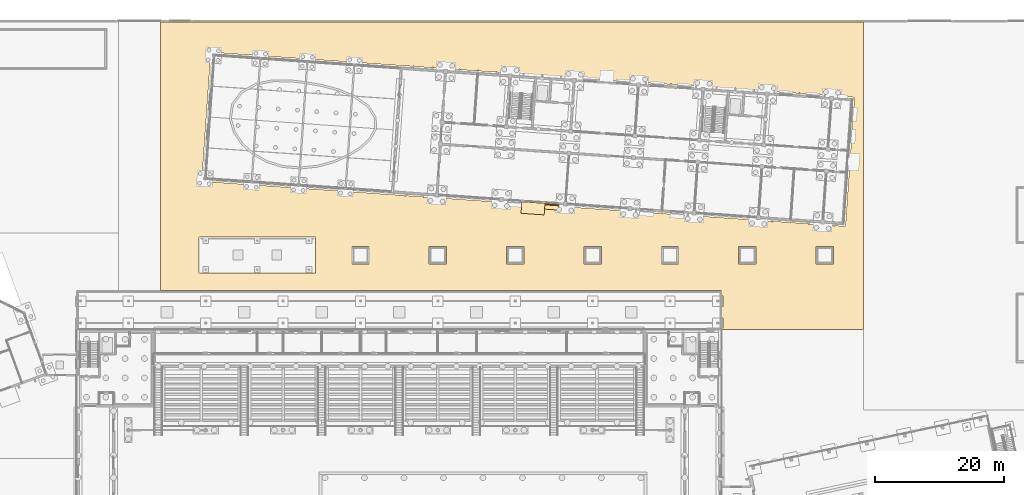
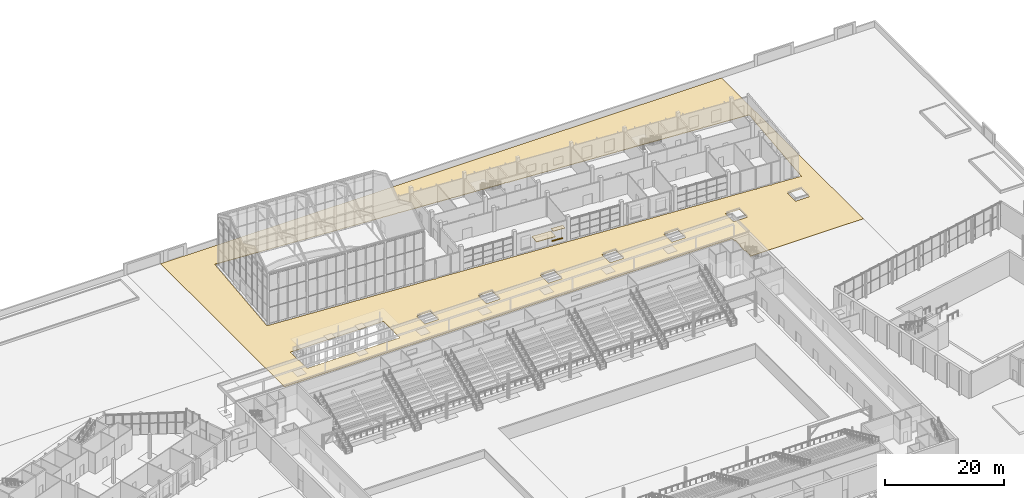
# One storey, part 140 of 157: 4 coverings.
"""IFC4 building model written with IfcOpenShell, lengths in metres."""

import ifcopenshell
import ifcopenshell.guid

model = None  # the IFC model being written
_history = None  # IfcOwnerHistory: only IFC2X3 demands one
_inside = {}  # id of a spatial element -> (the spatial element, [elements in it])
_under = {}  # id of a project, library or spatial element -> (it, [spatial elements below it])
_declared = {}  # id of a project -> (the project, [libraries it declares])
_typed = {}  # id of a type object -> (the type object, [elements of that type])
_made_of = {}  # id of a material, layer set ... -> (it, [elements and type objects made of it])


def new_model(schema):
    """Start an empty IFC model of exactly this schema.

    Asked for "IFC4X3", IfcOpenShell would pick the latest addendum, in which some entities
    have other attributes; the version numbers below select the first issue.
    IFC2X3 requires an IfcOwnerHistory on every rooted entity: one is made here for all.
    """
    global model, _history
    if schema == "IFC4X3":
        model = ifcopenshell.file(schema_version=(4, 3, 0, 0))
    else:
        model = ifcopenshell.file(schema=schema)
    _inside.clear()
    _under.clear()
    _declared.clear()
    _typed.clear()
    _made_of.clear()
    _history = None
    if model.schema == "IFC2X3":
        org = make("IfcOrganization", Name="unknown")
        user = make(
            "IfcPersonAndOrganization",
            ThePerson=make("IfcPerson", FamilyName="unknown"),
            TheOrganization=org,
        )
        app = make(
            "IfcApplication",
            ApplicationDeveloper=org,
            Version="unknown",
            ApplicationFullName="unknown",
            ApplicationIdentifier="unknown",
        )
        _history = make(
            "IfcOwnerHistory",
            OwningUser=user,
            OwningApplication=app,
            ChangeAction="ADDED",
            CreationDate=0,
        )
    return model


def make(cls, **values):
    """One entity of the class cls with the attributes given. An attribute that is None is left unset."""
    return model.create_entity(
        cls, **{name: value for name, value in values.items() if value is not None}
    )


def rooted(cls, **values):
    """An entity with a GlobalId (a new one), such as an element, a storey or a relation."""
    return make(cls, GlobalId=ifcopenshell.guid.new(), OwnerHistory=_history, **values)


def si_unit(unit_type, name, prefix=None):
    """IfcSIUnit, for example si_unit("LENGTHUNIT", "METRE", prefix="MILLI")."""
    return make("IfcSIUnit", UnitType=unit_type, Prefix=prefix, Name=name)


def assignment(units):
    """IfcUnitAssignment: the units of a project."""
    return None if units is None else make("IfcUnitAssignment", Units=units)


def point(xyz):
    """IfcCartesianPoint."""
    return None if xyz is None else make("IfcCartesianPoint", Coordinates=xyz)


def direction(xyz):
    """IfcDirection."""
    return None if xyz is None else make("IfcDirection", DirectionRatios=xyz)


def frame(location, z_axis=None, x_axis=None):
    """IfcAxis2Placement3D, a coordinate frame: its origin and axes. An axis left out is left unset."""
    return make(
        "IfcAxis2Placement3D",
        Location=point(location),
        Axis=direction(z_axis),
        RefDirection=direction(x_axis),
    )


def origin():
    """The frame at (0, 0, 0) with its axes left unset."""
    return frame((0.0, 0.0, 0.0))


def place(relative_to, where):
    """IfcLocalPlacement: puts the frame where relative to a parent placement (None: the world)."""
    return make(
        "IfcLocalPlacement", PlacementRelTo=relative_to, RelativePlacement=where
    )


def context(
    kind, dimensions, precision=None, world=None, true_north=None, identifier=None
):
    """IfcGeometricRepresentationContext, for example the 3D "Model" context."""
    return make(
        "IfcGeometricRepresentationContext",
        ContextIdentifier=identifier,
        ContextType=kind,
        CoordinateSpaceDimension=dimensions,
        Precision=precision,
        WorldCoordinateSystem=world,
        TrueNorth=true_north,
    )


def subcontext(parent, identifier, kind, view, scale=None):
    """IfcGeometricRepresentationSubContext, for example "Body" below "Model"."""
    return make(
        "IfcGeometricRepresentationSubContext",
        ContextIdentifier=identifier,
        ContextType=kind,
        ParentContext=parent,
        TargetScale=scale,
        TargetView=view,
    )


def project(units=None, contexts=None):
    """IfcProject with its units and contexts."""
    return rooted(
        "IfcProject",
        Name="project",
        RepresentationContexts=contexts,
        UnitsInContext=assignment(units),
    )


def spatial(cls, under=None, at=None, **own):
    """A site, building, storey or space (cls), placed at a placement, below another one or the project."""
    s = rooted(cls, ObjectPlacement=at, **own)
    if under is not None:
        _under.setdefault(under.id(), (under, []))[1].append(s)
    return s


def polyline(points):
    """IfcPolyline through the points."""
    return make("IfcPolyline", Points=[point(p) for p in points])


def outline(outer, holes=None, kind="AREA"):
    """IfcArbitraryClosedProfileDef: a profile drawn as a closed curve; with holes, ...WithVoids."""
    if holes is None:
        return make("IfcArbitraryClosedProfileDef", ProfileType=kind, OuterCurve=outer)
    return make(
        "IfcArbitraryProfileDefWithVoids",
        ProfileType=kind,
        OuterCurve=outer,
        InnerCurves=holes,
    )


def extrude(swept, where, along, depth):
    """IfcExtrudedAreaSolid: the profile swept, set in the frame where, extruded along a direction by depth."""
    return make(
        "IfcExtrudedAreaSolid",
        SweptArea=swept,
        Position=where,
        ExtrudedDirection=direction(along),
        Depth=depth,
    )


def shape(context_of_items, identifier, shape_type, items):
    """IfcShapeRepresentation: the items that make up one representation, for example the "Body"."""
    return make(
        "IfcShapeRepresentation",
        ContextOfItems=context_of_items,
        RepresentationIdentifier=identifier,
        RepresentationType=shape_type,
        Items=items,
    )


def material(Name=None, Category=None):
    """IfcMaterial."""
    return make("IfcMaterial", Name=Name, Category=Category)


def layer(
    of_material, thickness, ventilated=None, Name=None, Category=None, Priority=None
):
    """IfcMaterialLayer: one layer of a wall or slab, of a material (None: an air gap)."""
    return make(
        "IfcMaterialLayer",
        Material=of_material,
        LayerThickness=thickness,
        IsVentilated=ventilated,
        Name=Name,
        Category=Category,
        Priority=Priority,
    )


def layer_set(layers, Name=None):
    """IfcMaterialLayerSet."""
    return make("IfcMaterialLayerSet", MaterialLayers=layers, LayerSetName=Name)


def made_of(thing, what):
    """Note that an element or type object is made of a material, layer set ...; save() writes the relation."""
    if what is not None:
        _made_of.setdefault(what.id(), (what, []))[1].append(thing)
    return thing


def type_object(cls, material=None, **own):
    """A type object (cls), such as IfcWallType, which elements share."""
    return made_of(rooted(cls, **own), material)


def element(
    cls,
    number,
    at=None,
    inside=None,
    cuts=None,
    type_object=None,
    material=None,
    context=None,
    identifier="Body",
    shape_type=None,
    held_by="IfcProductDefinitionShape",
    body=None,
    shapes=None,
    **own,
):
    """One element of the class cls, such as IfcWall. Its Tag is "e" and its number.

    at: its placement. inside: the storey or other place that contains it. cuts: it is an
    opening in that element (IfcRelVoidsElement). A single representation is given by context,
    identifier, shape_type and body (its items); several are given by shapes. held_by: the class
    of the entity that holds the representations. save() writes the other relations.
    """
    e = rooted(cls, Tag="e%d" % number, ObjectPlacement=at, **own)
    if body is not None:
        shapes = [shape(context, identifier, shape_type, body)]
    if shapes is not None:
        e.Representation = make(held_by, Representations=shapes)
    if inside is not None:
        _inside.setdefault(inside.id(), (inside, []))[1].append(e)
    if cuts is not None:
        rooted(
            "IfcRelVoidsElement", RelatingBuildingElement=cuts, RelatedOpeningElement=e
        )
    if type_object is not None:
        _typed.setdefault(type_object.id(), (type_object, []))[1].append(e)
    return made_of(e, material)


def aggregate(whole, parts):
    """IfcRelAggregates: a whole, such as a stair, and the parts it consists of."""
    return rooted("IfcRelAggregates", RelatingObject=whole, RelatedObjects=parts)


def save(model, path):
    """Write the relations noted so far, then the file.

    IfcRelAggregates (storeys below a building ...), IfcRelContainedInSpatialStructure (elements
    in a storey), IfcRelDefinesByType, IfcRelAssociatesMaterial and IfcRelDeclares: one each for
    every whole, place, type object, material and project.
    """
    for whole, parts in _under.values():
        aggregate(whole, parts)
    for where, things in _inside.values():
        rooted(
            "IfcRelContainedInSpatialStructure",
            RelatedElements=things,
            RelatingStructure=where,
        )
    for kind, things in _typed.values():
        rooted("IfcRelDefinesByType", RelatedObjects=things, RelatingType=kind)
    for what, things in _made_of.values():
        rooted("IfcRelAssociatesMaterial", RelatedObjects=things, RelatingMaterial=what)
    for by, libraries in _declared.values():
        rooted("IfcRelDeclares", RelatingContext=by, RelatedDefinitions=libraries)
    model.write(path)


model = new_model("IFC4")

# Units and contexts
model_context = context("Model", 3, precision=1e-05, world=origin(), true_north=direction((0.0, 1.0)))
body_context = subcontext(model_context, "Body", "Model", "MODEL_VIEW")
ifc_project = project(units=[si_unit("LENGTHUNIT", "METRE"), si_unit("AREAUNIT", "SQUARE_METRE"), si_unit("VOLUMEUNIT", "CUBIC_METRE"), si_unit("PLANEANGLEUNIT", "RADIAN"), si_unit("MASSUNIT", "GRAM", prefix="KILO")], contexts=[model_context])

# Site, building, storey
site_placement = place(None, origin())
site = spatial("IfcSite", under=ifc_project, at=site_placement, CompositionType="ELEMENT")
building_placement = place(site_placement, origin())
building = spatial("IfcBuilding", under=site, at=building_placement, Name="Windward Yard Aquatics Centre", CompositionType="ELEMENT")
storey_placement = place(building_placement, origin())
storey = spatial("IfcBuildingStorey", under=building, at=storey_placement, Name="L00", CompositionType="ELEMENT", Elevation=0.0)

# Coverings
ifc_material_1 = material(Name="Aluminium standing seam canopy on steel brackets", Category="steel")
ifc_layer_1 = layer(ifc_material_1, 0.1201171875)
ifc_layer_set_1 = layer_set([ifc_layer_1], Name="W entrance canopy aluminium 3600x1800")
covering_type_1 = type_object("IfcCoveringType", Name="W entrance canopy aluminium 3600x1800", PredefinedType="CLADDING", material=ifc_layer_set_1)
covering_1_placement = place(storey_placement, frame((0.0, 0.0, 2.800048828125)))
element("IfcCovering", 1, at=covering_1_placement, inside=storey, type_object=covering_type_1, Name="Entrance canopy W0001", PredefinedType="CLADDING", context=body_context, shape_type="SweptSolid", body=[
    extrude(outline(polyline([(120.896728515625, 114.02392578125), (121.022216796875, 115.819580078125), (124.613525390625, 115.568603515625), (124.488037109375, 113.77294921875), (120.896728515625, 114.02392578125)])), origin(), (0.0, 0.0, 1.0), 0.119873046875),
])
ifc_material_2 = material(Name="Aluminium composite hood, powder coated", Category="aluminium")
ifc_layer_2 = layer(ifc_material_2, 0.080078125)
ifc_layer_set_2 = layer_set([ifc_layer_2], Name="W window hood aluminium 2200x900")
covering_type_2 = type_object("IfcCoveringType", Name="W window hood aluminium 2200x900", PredefinedType="CLADDING", material=ifc_layer_set_2)
covering_2_placement = place(storey_placement, frame((0.0, 0.0, 3.35009765625)))
element("IfcCovering", 2, at=covering_2_placement, inside=storey, type_object=covering_type_2, Name="Window hood W0502", PredefinedType="CLADDING", context=body_context, shape_type="SweptSolid", body=[
    extrude(outline(polyline([(124.55078125, 114.670654296875), (124.613525390625, 115.568603515625), (126.80810546875, 115.4150390625), (126.745361328125, 114.51708984375), (124.55078125, 114.670654296875)])), origin(), (0.0, 0.0, 1.0), 0.079833984375),
])
ifc_material_3 = material(Name="Limestone sill", Category="masonry")
ifc_layer_3 = layer(ifc_material_3, 0.080078125)
ifc_layer_set_3 = layer_set([ifc_layer_3], Name="W window sill stone 2000x200")
covering_type_3 = type_object("IfcCoveringType", Name="W window sill stone 2000x200", PredefinedType="CLADDING", material=ifc_layer_set_3)
covering_3_placement = place(storey_placement, frame((0.0, 0.0, 0.820068359375)))
element("IfcCovering", 3, at=covering_3_placement, inside=storey, type_object=covering_type_3, Name="Window sill W0502", PredefinedType="CLADDING", context=body_context, shape_type="SweptSolid", body=[
    extrude(outline(polyline([(124.699462890625, 115.362060546875), (124.71337890625, 115.5615234375), (126.70849609375, 115.422119140625), (126.694580078125, 115.222412109375), (124.699462890625, 115.362060546875)])), origin(), (0.0, 0.0, 1.0), 0.079833984375),
])
ifc_material_4 = material(Name="Granite paving, flamed", Category="masonry")
ifc_layer_4 = layer(ifc_material_4, 0.10009765625)
ifc_layer_set_4 = layer_set([ifc_layer_4], Name="X Granite Paving 100")
covering_type_4 = type_object("IfcCoveringType", Name="X Granite Paving 100", PredefinedType="FLOORING", material=ifc_layer_set_4)
covering_4_placement = place(storey_placement, frame((0.0, 0.0, -0.10009765625)))
element("IfcCovering", 4, at=covering_4_placement, inside=storey, type_object=covering_type_4, Name="Yard paving 1", PredefinedType="FLOORING", context=body_context, shape_type="SweptSolid", body=[
    extrude(outline(polyline([(65.0, 102.02001953125), (152.001953125, 102.02001953125), (152.009521484375, 102.017578125), (152.01416015625, 102.01416015625), (152.0185546875, 102.0078125), (152.02001953125, 102.0), (152.02001953125, 101.219970703125), (152.201904296875, 101.219970703125), (152.20947265625, 101.217529296875), (152.214111328125, 101.214111328125), (152.218505859375, 101.207763671875), (152.219970703125, 101.199951171875), (152.219970703125, 99.597900390625), (152.218505859375, 99.59228515625), (152.214111328125, 99.5859375), (152.20947265625, 99.58251953125), (152.201904296875, 99.580078125), (152.02001953125, 99.580078125), (152.02001953125, 97.820068359375), (152.201904296875, 97.81982421875), (152.20947265625, 97.817626953125), (152.214111328125, 97.814208984375), (152.218505859375, 97.8076171875), (152.219970703125, 97.802001953125), (152.219970703125, 96.199951171875), (152.218505859375, 96.1923828125), (152.214111328125, 96.185791015625), (152.20947265625, 96.182373046875), (152.201904296875, 96.18017578125), (152.02001953125, 96.179931640625), (152.02001953125, 96.02001953125), (152.0419921875, 96.02001953125), (152.047607421875, 96.0185546875), (152.056640625, 96.010986328125), (152.06005859375, 96.0), (174.0, 96.0), (174.0, 143.679931640625), (65.0, 143.679931640625), (65.0, 102.02001953125)]), holes=[polyline([(71.404296875, 119.013671875), (71.4052734375, 119.005859375), (71.407958984375, 119.00048828125), (71.41357421875, 118.9951171875), (71.4189453125, 118.992919921875), (102.8037109375, 116.7978515625), (102.79638671875, 116.691162109375), (102.798095703125, 116.68359375), (102.802734375, 116.67724609375), (102.8076171875, 116.673828125), (102.81494140625, 116.671875), (102.934814453125, 116.663330078125), (102.9423828125, 116.664306640625), (102.94775390625, 116.6669921875), (102.952880859375, 116.6728515625), (102.955322265625, 116.677978515625), (102.96337890625, 116.78662109375), (105.671875, 116.597412109375), (105.664306640625, 116.490478515625), (105.666015625, 116.48291015625), (105.670654296875, 116.476806640625), (105.675537109375, 116.473388671875), (105.68310546875, 116.47119140625), (105.802734375, 116.462890625), (105.810302734375, 116.4638671875), (105.815673828125, 116.466552734375), (105.821044921875, 116.47216796875), (105.823486328125, 116.4775390625), (105.831298828125, 116.586181640625), (138.65380859375, 114.291015625), (138.646240234375, 114.184326171875), (138.64794921875, 114.1767578125), (138.652587890625, 114.17041015625), (138.6591796875, 114.166259765625), (138.664794921875, 114.164794921875), (138.78466796875, 114.156494140625), (138.792236328125, 114.157470703125), (138.797607421875, 114.16015625), (138.802978515625, 114.166015625), (138.805419921875, 114.171142578125), (138.813232421875, 114.27978515625), (142.6689453125, 114.01025390625), (142.66162109375, 113.903564453125), (142.6630859375, 113.89599609375), (142.667724609375, 113.8896484375), (142.67431640625, 113.885498046875), (142.68017578125, 113.884033203125), (142.7998046875, 113.875732421875), (142.8076171875, 113.876708984375), (142.812744140625, 113.87939453125), (142.81689453125, 113.883544921875), (142.820556640625, 113.890380859375), (142.82861328125, 113.9990234375), (146.68408203125, 113.7294921875), (146.677001953125, 113.620849609375), (146.67919921875, 113.61328125), (146.68310546875, 113.60888671875), (146.687744140625, 113.60546875), (146.6953125, 113.603271484375), (146.81494140625, 113.594970703125), (146.82080078125, 113.595458984375), (146.827880859375, 113.5986328125), (146.833251953125, 113.6044921875), (146.836181640625, 113.61181640625), (146.84375, 113.71826171875), (159.727294921875, 112.8173828125), (159.7197265625, 112.710693359375), (159.721435546875, 112.702880859375), (159.72607421875, 112.69677734375), (159.732666015625, 112.6923828125), (159.73828125, 112.691162109375), (159.858154296875, 112.682861328125), (159.86572265625, 112.683837890625), (159.87109375, 112.6865234375), (159.875244140625, 112.690673828125), (159.87890625, 112.697509765625), (159.88671875, 112.80615234375), (162.6201171875, 112.614990234375), (162.61279296875, 112.50830078125), (162.614501953125, 112.500732421875), (162.619140625, 112.494384765625), (162.625732421875, 112.490234375), (162.63134765625, 112.489013671875), (162.751220703125, 112.48046875), (162.7587890625, 112.4814453125), (162.76416015625, 112.484130859375), (162.768310546875, 112.48828125), (162.771728515625, 112.4951171875), (162.77978515625, 112.60400390625), (165.51318359375, 112.412841796875), (165.505859375, 112.30419921875), (165.50732421875, 112.29833984375), (165.511962890625, 112.2919921875), (165.516845703125, 112.288818359375), (165.5244140625, 112.28662109375), (165.64404296875, 112.2783203125), (165.64990234375, 112.27880859375), (165.656982421875, 112.281982421875), (165.662353515625, 112.28759765625), (165.6650390625, 112.294921875), (165.672607421875, 112.401611328125), (169.3662109375, 112.143310546875), (169.35888671875, 112.03662109375), (169.360595703125, 112.029052734375), (169.364990234375, 112.022705078125), (169.37158203125, 112.0185546875), (169.37744140625, 112.01708984375), (169.4970703125, 112.0087890625), (169.5048828125, 112.009765625), (169.510009765625, 112.012451171875), (169.514404296875, 112.0166015625), (169.517822265625, 112.0234375), (169.52587890625, 112.132080078125), (171.17919921875, 112.0166015625), (171.18505859375, 112.01708984375), (171.192138671875, 112.020263671875), (171.196533203125, 112.0244140625), (171.199951171875, 112.03125), (172.595703125, 131.986328125), (172.59521484375, 131.9921875), (172.592041015625, 131.99951171875), (172.587890625, 132.003662109375), (172.5810546875, 132.007080078125), (168.068115234375, 132.322998046875), (168.075439453125, 132.4296875), (168.07373046875, 132.4375), (168.069091796875, 132.443603515625), (168.0625, 132.447998046875), (168.056884765625, 132.44921875), (167.937255859375, 132.45751953125), (167.931396484375, 132.45703125), (167.92431640625, 132.453857421875), (167.919921875, 132.44970703125), (167.91650390625, 132.44287109375), (167.908447265625, 132.334228515625), (164.177490234375, 132.59521484375), (164.18505859375, 132.701904296875), (164.183349609375, 132.70947265625), (164.1787109375, 132.7158203125), (164.172119140625, 132.719970703125), (164.16650390625, 132.72119140625), (164.046630859375, 132.729736328125), (164.040771484375, 132.729248046875), (164.03369140625, 132.72607421875), (164.0283203125, 132.72021484375), (164.02587890625, 132.715087890625), (164.01806640625, 132.606201171875), (160.287109375, 132.8671875), (160.29443359375, 132.973876953125), (160.292724609375, 132.9814453125), (160.2880859375, 132.98779296875), (160.281494140625, 132.991943359375), (160.27587890625, 132.993408203125), (160.15625, 133.001708984375), (160.150390625, 133.001220703125), (160.143310546875, 132.998046875), (160.138916015625, 132.993896484375), (160.135498046875, 132.987060546875), (160.12744140625, 132.87841796875), (157.094970703125, 133.09033203125), (157.102294921875, 133.197021484375), (157.1005859375, 133.20458984375), (157.09619140625, 133.2109375), (157.09130859375, 133.21435546875), (157.083740234375, 133.216552734375), (156.964111328125, 133.224853515625), (156.958251953125, 133.224365234375), (156.951171875, 133.22119140625), (156.94580078125, 133.215576171875), (156.943359375, 133.210205078125), (156.935302734375, 133.1015625), (154.201904296875, 133.292724609375), (154.20947265625, 133.3994140625), (154.207763671875, 133.406982421875), (154.203125, 133.413330078125), (154.1982421875, 133.416748046875), (154.19091796875, 133.418701171875), (154.071044921875, 133.42724609375), (154.065185546875, 133.4267578125), (154.05810546875, 133.423583984375), (154.052734375, 133.417724609375), (154.05029296875, 133.41259765625), (154.04248046875, 133.3037109375), (151.30908203125, 133.4951171875), (151.31640625, 133.603515625), (151.31396484375, 133.611083984375), (151.310302734375, 133.615478515625), (151.3037109375, 133.619873046875), (151.2978515625, 133.62109375), (151.17822265625, 133.62939453125), (151.17041015625, 133.62841796875), (151.165283203125, 133.625732421875), (151.159912109375, 133.6201171875), (151.156982421875, 133.61279296875), (151.1494140625, 133.506103515625), (148.11669921875, 133.71826171875), (148.124267578125, 133.824951171875), (148.12255859375, 133.83251953125), (148.117919921875, 133.8388671875), (148.111328125, 133.843017578125), (148.105712890625, 133.84423828125), (147.98583984375, 133.852783203125), (147.97998046875, 133.852294921875), (147.972900390625, 133.84912109375), (147.96875, 133.844970703125), (147.965087890625, 133.837890625), (147.957275390625, 133.7294921875), (144.226318359375, 133.990234375), (144.233642578125, 134.096923828125), (144.23193359375, 134.1044921875), (144.227294921875, 134.11083984375), (144.220703125, 134.114990234375), (144.215087890625, 134.116455078125), (144.095458984375, 134.124755859375), (144.089599609375, 134.124267578125), (144.08251953125, 134.12109375), (144.0771484375, 134.115478515625), (144.07470703125, 134.110107421875), (144.066650390625, 134.00146484375), (140.335693359375, 134.26220703125), (140.34326171875, 134.368896484375), (140.341552734375, 134.376708984375), (140.3369140625, 134.3828125), (140.33203125, 134.38623046875), (140.32470703125, 134.388427734375), (140.204833984375, 134.396728515625), (140.198974609375, 134.396240234375), (140.19189453125, 134.39306640625), (140.187744140625, 134.388916015625), (140.18408203125, 134.382080078125), (140.17626953125, 134.2734375), (127.168212890625, 135.18310546875), (127.175537109375, 135.289794921875), (127.173828125, 135.29736328125), (127.169189453125, 135.3037109375), (127.16259765625, 135.307861328125), (127.156982421875, 135.30908203125), (127.037109375, 135.317626953125), (127.03125, 135.317138671875), (127.024169921875, 135.31396484375), (127.018798828125, 135.30810546875), (127.0166015625, 135.302978515625), (127.008544921875, 135.194091796875), (124.275146484375, 135.385498046875), (124.282470703125, 135.4921875), (124.28076171875, 135.499755859375), (124.276123046875, 135.506103515625), (124.26953125, 135.51025390625), (124.263916015625, 135.511474609375), (124.144287109375, 135.52001953125), (124.13818359375, 135.519287109375), (124.131103515625, 135.51611328125), (124.1259765625, 135.510498046875), (124.12353515625, 135.505126953125), (124.115478515625, 135.396484375), (121.382080078125, 135.587646484375), (121.389404296875, 135.6962890625), (121.386962890625, 135.70361328125), (121.38330078125, 135.708251953125), (121.376708984375, 135.71240234375), (121.37109375, 135.7138671875), (121.251220703125, 135.72216796875), (121.243408203125, 135.72119140625), (121.23828125, 135.718505859375), (121.23291015625, 135.712646484375), (121.230224609375, 135.705322265625), (121.22265625, 135.598876953125), (117.1923828125, 135.880615234375), (117.19970703125, 135.9873046875), (117.197998046875, 135.9951171875), (117.193603515625, 136.001220703125), (117.188720703125, 136.004638671875), (117.18115234375, 136.0068359375), (117.0615234375, 136.01513671875), (117.0556640625, 136.0146484375), (117.048583984375, 136.011474609375), (117.043212890625, 136.005859375), (117.040771484375, 136.00048828125), (117.03271484375, 135.891845703125), (114.29931640625, 136.0830078125), (114.306884765625, 136.189697265625), (114.30517578125, 136.197265625), (114.300537109375, 136.20361328125), (114.2939453125, 136.207763671875), (114.2880859375, 136.208984375), (114.16845703125, 136.217529296875), (114.16259765625, 136.217041015625), (114.155517578125, 136.2138671875), (114.150146484375, 136.2080078125), (114.147705078125, 136.202880859375), (114.139892578125, 136.093994140625), (111.406494140625, 136.28515625), (111.413818359375, 136.393798828125), (111.411376953125, 136.4013671875), (111.40771484375, 136.406005859375), (111.40087890625, 136.41015625), (111.395263671875, 136.411376953125), (111.275634765625, 136.419677734375), (111.267822265625, 136.418701171875), (111.2626953125, 136.416015625), (111.25732421875, 136.410400390625), (111.25439453125, 136.403076171875), (111.246826171875, 136.29638671875), (107.229248046875, 136.577392578125), (107.236572265625, 136.68408203125), (107.23486328125, 136.691650390625), (107.230224609375, 136.697998046875), (107.2236328125, 136.7021484375), (107.218017578125, 136.70361328125), (107.098388671875, 136.7119140625), (107.09228515625, 136.71142578125), (107.085205078125, 136.708251953125), (107.080078125, 136.702392578125), (107.07763671875, 136.697265625), (107.069580078125, 136.58837890625), (104.361083984375, 136.77783203125), (104.368408203125, 136.88671875), (104.366943359375, 136.892333984375), (104.3623046875, 136.898681640625), (104.355712890625, 136.90283203125), (104.35009765625, 136.904052734375), (104.230224609375, 136.912353515625), (104.222412109375, 136.911376953125), (104.21728515625, 136.90869140625), (104.2119140625, 136.903076171875), (104.209228515625, 136.895751953125), (104.20166015625, 136.7890625), (72.82080078125, 138.9833984375), (72.81298828125, 138.982421875), (72.80615234375, 138.978515625), (72.801513671875, 138.972412109375), (72.79931640625, 138.96484375), (71.404296875, 119.013671875)]), polyline([(166.655029296875, 106.175048828125), (166.656494140625, 106.167236328125), (166.659423828125, 106.162353515625), (166.66552734375, 106.157470703125), (166.675048828125, 106.155029296875), (169.324951171875, 106.155029296875), (169.330810546875, 106.156005859375), (169.337646484375, 106.159423828125), (169.343505859375, 106.167236328125), (169.344970703125, 106.175048828125), (169.344970703125, 108.826904296875), (169.343505859375, 108.832763671875), (169.339111328125, 108.839111328125), (169.33447265625, 108.842529296875), (169.326904296875, 108.844970703125), (166.675048828125, 108.844970703125), (166.669189453125, 108.843994140625), (166.662353515625, 108.840576171875), (166.656494140625, 108.832763671875), (166.655029296875, 108.824951171875), (166.655029296875, 106.175048828125)]), polyline([(154.655029296875, 106.175048828125), (154.656494140625, 106.167236328125), (154.660888671875, 106.160888671875), (154.667236328125, 106.156494140625), (154.675048828125, 106.155029296875), (157.324951171875, 106.155029296875), (157.332763671875, 106.156494140625), (157.339111328125, 106.160888671875), (157.343505859375, 106.167236328125), (157.344970703125, 106.175048828125), (157.344970703125, 108.826904296875), (157.343505859375, 108.832763671875), (157.339111328125, 108.839111328125), (157.332763671875, 108.843505859375), (157.324951171875, 108.844970703125), (154.675048828125, 108.844970703125), (154.667236328125, 108.843505859375), (154.660888671875, 108.839111328125), (154.656494140625, 108.832763671875), (154.655029296875, 108.824951171875), (154.655029296875, 106.175048828125)]), polyline([(142.655029296875, 106.175048828125), (142.656494140625, 106.167236328125), (142.660888671875, 106.160888671875), (142.667236328125, 106.156494140625), (142.675048828125, 106.155029296875), (145.324951171875, 106.155029296875), (145.332763671875, 106.156494140625), (145.339111328125, 106.160888671875), (145.343505859375, 106.167236328125), (145.344970703125, 106.175048828125), (145.344970703125, 108.824951171875), (145.343505859375, 108.832763671875), (145.336181640625, 108.841552734375), (145.324951171875, 108.844970703125), (142.675048828125, 108.844970703125), (142.667236328125, 108.843505859375), (142.660888671875, 108.839111328125), (142.656494140625, 108.832763671875), (142.655029296875, 108.824951171875), (142.655029296875, 106.175048828125)]), polyline([(130.655029296875, 106.175048828125), (130.656494140625, 106.167236328125), (130.660888671875, 106.160888671875), (130.667236328125, 106.156494140625), (130.675048828125, 106.155029296875), (133.324951171875, 106.155029296875), (133.332763671875, 106.156494140625), (133.339111328125, 106.160888671875), (133.343505859375, 106.167236328125), (133.344970703125, 106.175048828125), (133.343994140625, 108.830810546875), (133.341552734375, 108.836181640625), (133.336181640625, 108.841552734375), (133.324951171875, 108.844970703125), (130.675048828125, 108.844970703125), (130.667236328125, 108.843505859375), (130.660888671875, 108.839111328125), (130.656494140625, 108.832763671875), (130.655029296875, 108.824951171875), (130.655029296875, 106.175048828125)]), polyline([(118.655029296875, 106.175048828125), (118.657470703125, 106.16552734375), (118.663818359375, 106.158447265625), (118.675048828125, 106.155029296875), (121.324951171875, 106.155029296875), (121.332763671875, 106.156494140625), (121.339111328125, 106.160888671875), (121.343505859375, 106.167236328125), (121.344970703125, 106.175048828125), (121.344970703125, 108.824951171875), (121.343505859375, 108.832763671875), (121.339111328125, 108.839111328125), (121.332763671875, 108.843505859375), (121.324951171875, 108.844970703125), (118.675048828125, 108.844970703125), (118.667236328125, 108.843505859375), (118.660888671875, 108.839111328125), (118.656494140625, 108.832763671875), (118.655029296875, 108.824951171875), (118.655029296875, 106.175048828125)]), polyline([(106.655029296875, 106.175048828125), (106.656005859375, 106.169189453125), (106.659423828125, 106.162353515625), (106.667236328125, 106.156494140625), (106.675048828125, 106.155029296875), (109.324951171875, 106.155029296875), (109.330810546875, 106.156005859375), (109.337646484375, 106.159423828125), (109.343505859375, 106.167236328125), (109.344970703125, 106.175048828125), (109.344970703125, 108.826904296875), (109.343505859375, 108.832763671875), (109.339111328125, 108.839111328125), (109.332763671875, 108.843505859375), (109.326904296875, 108.844970703125), (106.675048828125, 108.844970703125), (106.669189453125, 108.843994140625), (106.662353515625, 108.840576171875), (106.656494140625, 108.832763671875), (106.655029296875, 108.824951171875), (106.655029296875, 106.175048828125)]), polyline([(94.655029296875, 106.175048828125), (94.656494140625, 106.167236328125), (94.660888671875, 106.160888671875), (94.667236328125, 106.156494140625), (94.675048828125, 106.155029296875), (97.324951171875, 106.155029296875), (97.332763671875, 106.156494140625), (97.339111328125, 106.160888671875), (97.343505859375, 106.167236328125), (97.344970703125, 106.175048828125), (97.344970703125, 108.824951171875), (97.343505859375, 108.832763671875), (97.339111328125, 108.839111328125), (97.332763671875, 108.843505859375), (97.324951171875, 108.844970703125), (94.675048828125, 108.844970703125), (94.667236328125, 108.843505859375), (94.660888671875, 108.839111328125), (94.656494140625, 108.832763671875), (94.655029296875, 108.824951171875), (94.655029296875, 106.175048828125)]), polyline([(70.97998046875, 104.800048828125), (70.98095703125, 104.794189453125), (70.984619140625, 104.787353515625), (70.994140625, 104.781005859375), (89.0, 104.780029296875), (89.005859375, 104.781005859375), (89.0126953125, 104.784423828125), (89.017578125, 104.79052734375), (89.02001953125, 104.798095703125), (89.02001953125, 110.300048828125), (89.01904296875, 110.305908203125), (89.015380859375, 110.312744140625), (89.005859375, 110.319091796875), (71.0, 110.320068359375), (70.994140625, 110.319091796875), (70.9873046875, 110.3154296875), (70.98095703125, 110.305908203125), (70.97998046875, 104.800048828125)])]), origin(), (0.0, 0.0, 1.0), 0.10009765625),
])

save(model, "model.ifc")
